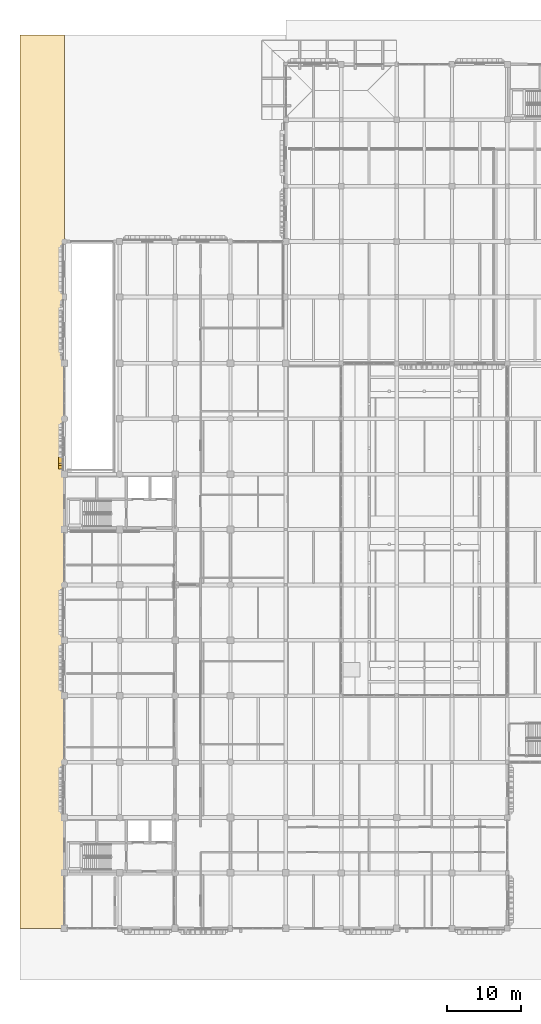
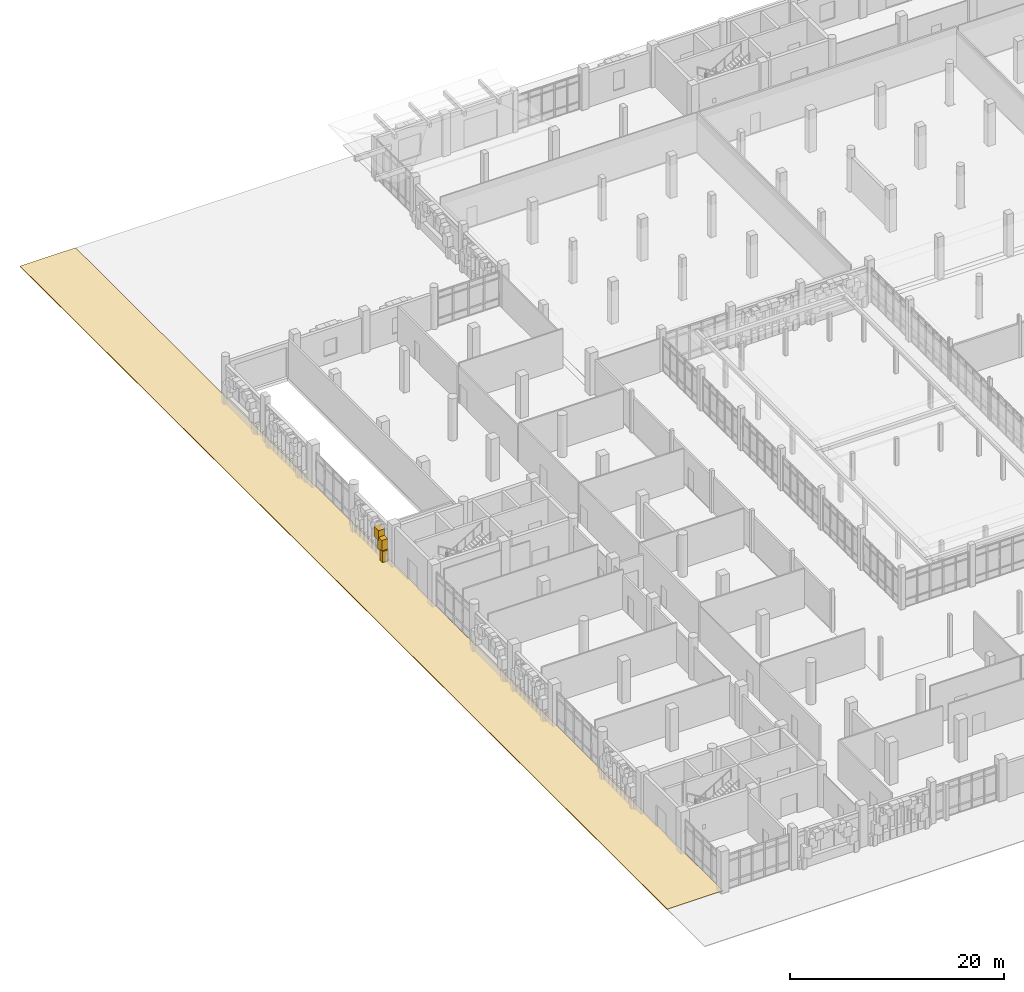
# One storey, part 109 of 125: 4 coverings.
"""IFC4 building model written with IfcOpenShell, lengths in metres."""

from ifc_helpers import new_model, si_unit, direction, frame, origin, origin_2d, place, context, subcontext, project, spatial, polyline, rectangle, outline, extrude, material, layer, layer_set, type_object, element, save


model = new_model("IFC4")

# Units and contexts
model_context = context("Model", 3, precision=1e-05, world=origin(), true_north=direction((0.0, 1.0)))
body_context = subcontext(model_context, "Body", "Model", "MODEL_VIEW")
ifc_project = project(units=[si_unit("LENGTHUNIT", "METRE"), si_unit("AREAUNIT", "SQUARE_METRE"), si_unit("VOLUMEUNIT", "CUBIC_METRE"), si_unit("PLANEANGLEUNIT", "RADIAN"), si_unit("MASSUNIT", "GRAM", prefix="KILO")], contexts=[model_context])

# Site, building, storey
site_placement = place(None, origin())
site = spatial("IfcSite", under=ifc_project, at=site_placement, CompositionType="ELEMENT")
building_placement = place(site_placement, origin())
building = spatial("IfcBuilding", under=site, at=building_placement, Name="Dalvernix Boulevard General Hospital", CompositionType="ELEMENT")
storey_placement = place(building_placement, origin())
storey = spatial("IfcBuildingStorey", under=building, at=storey_placement, Name="L00", CompositionType="ELEMENT", Elevation=0.0)

# Coverings
ifc_material_1 = material(Name="Pressed Catalan clay brick and dressed limestone parabolic archivolt", Category="masonry")
ifc_layer_1 = layer(ifc_material_1, 0.419921875)
ifc_layer_set_1 = layer_set([ifc_layer_1], Name="Pressed Catalan clay brick and dressed limestone parabolic archivolt (COV-ARC-01)")
covering_type_1 = type_object("IfcCoveringType", Name="COV-ARC-01", PredefinedType="CLADDING", material=ifc_layer_set_1)
covering_1_placement = place(storey_placement, frame((-0.485107421875, 62.449951171875, 0.0), z_axis=(0.0, 0.0, 1.0), x_axis=(0.0, 1.0, 0.0)))
element("IfcCovering", 1, at=covering_1_placement, inside=storey, type_object=covering_type_1, Name="L00 Catalan parabolic arch impost pier W 0-8-L", PredefinedType="CLADDING", context=body_context, shape_type="SweptSolid", body=[
    extrude(rectangle(XDim=0.4599609375, YDim=0.659912109375, at=origin_2d()), origin(), (0.0, 0.0, 1.0), 1.25),
])
covering_2_placement = place(storey_placement, frame((-0.485107421875, 62.760986328125, 1.06005859375), z_axis=(0.0, 0.0, 1.0), x_axis=(0.0, 1.0, 0.0)))
element("IfcCovering", 2, at=covering_2_placement, inside=storey, type_object=covering_type_1, Name="L00 Catalan parabolic archivolt voussoir W 0-8-1", PredefinedType="CLADDING", context=body_context, shape_type="SweptSolid", body=[
    extrude(rectangle(XDim=0.8623046875, YDim=0.659912109375, at=origin_2d()), origin(), (0.0, 0.0, 1.0), 1.37939453125),
])
covering_3_placement = place(storey_placement, frame((-0.485107421875, 63.38330078125, 2.0595703125), z_axis=(0.0, 0.0, 1.0), x_axis=(0.0, 1.0, 0.0)))
element("IfcCovering", 3, at=covering_3_placement, inside=storey, type_object=covering_type_1, Name="L00 Catalan parabolic archivolt voussoir W 0-8-2", PredefinedType="CLADDING", context=body_context, shape_type="SweptSolid", body=[
    extrude(rectangle(XDim=0.8623046875, YDim=0.659912109375, at=origin_2d()), origin(), (0.0, 0.0, 1.0), 1.129638671875),
])
ifc_material_2 = material(Name="Permeable granite and clay boulevard paving", Category="masonry")
ifc_layer_2 = layer(ifc_material_2, 0.080078125)
ifc_layer_set_2 = layer_set([ifc_layer_2], Name="Permeable granite and clay boulevard paving (COV-PAV-01)")
covering_type_2 = type_object("IfcCoveringType", Name="COV-PAV-01", PredefinedType="USERDEFINED", material=ifc_layer_set_2)
covering_4_placement = place(storey_placement, frame((0.0, 0.0, -0.080078125)))
element("IfcCovering", 4, at=covering_4_placement, inside=storey, type_object=covering_type_2, Name="Exterior grade paving WEST-ST", ObjectType="PAVING", PredefinedType="USERDEFINED", context=body_context, shape_type="SweptSolid", body=[
    extrude(outline(polyline([(-6.0, 0.0), (0.0, 0.0), (0.0, 121.0), (-6.0, 121.0), (-6.0, 0.0)])), origin(), (0.0, 0.0, 1.0), 0.080078125),
])

save(model, "model.ifc")
